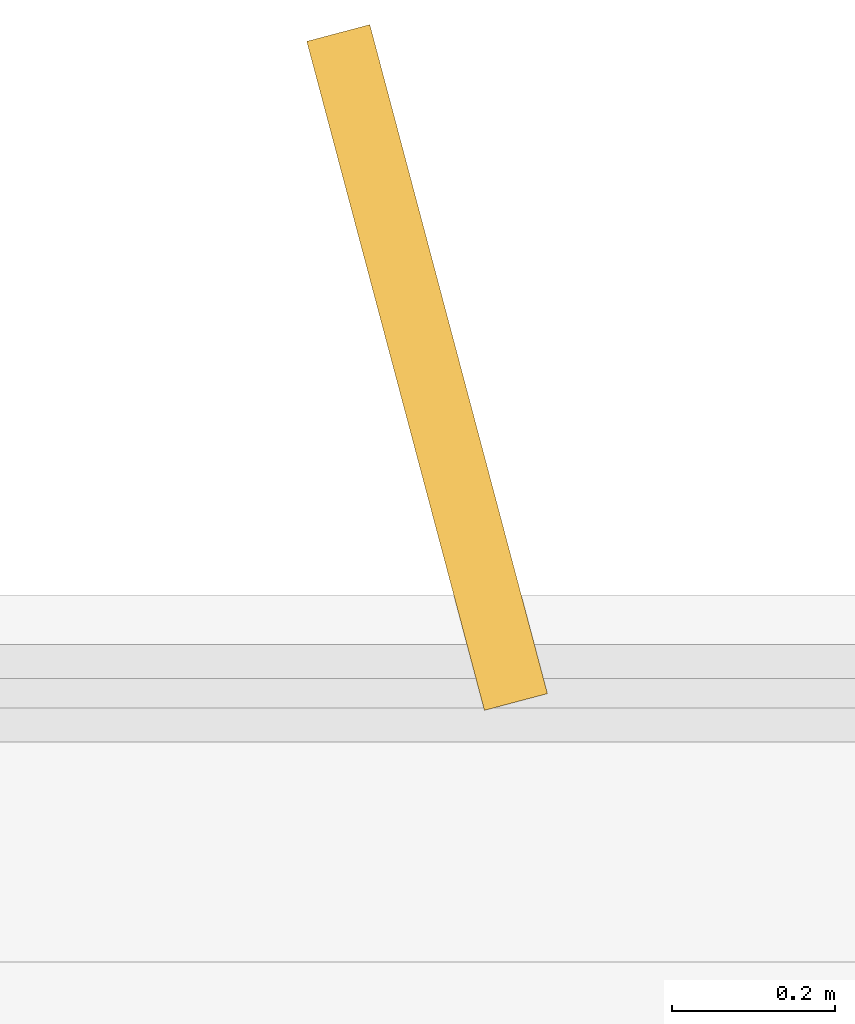
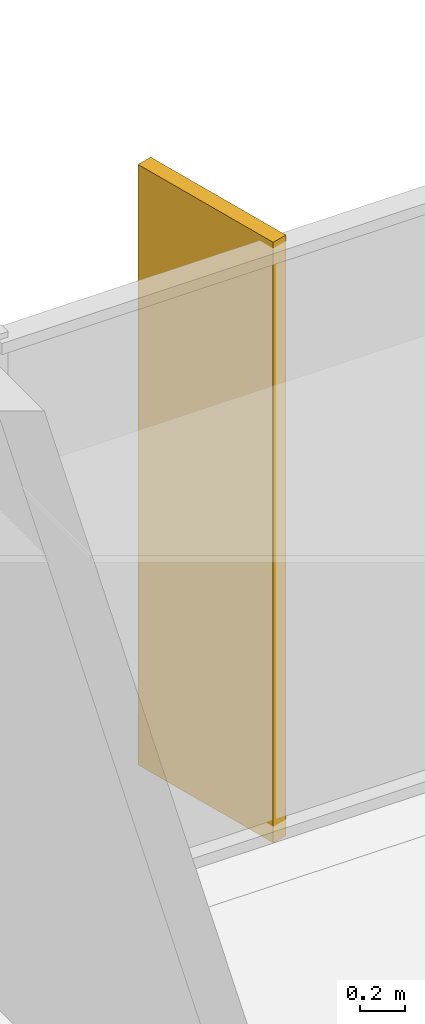
# One storey, part 17 of 17: 1 shading device.
"""IFC4 building model written with IfcOpenShell, lengths in metres."""

from ifc_helpers import new_model, si_unit, direction, frame, origin, origin_2d, place, context, subcontext, project, spatial, rectangle, extrude, material, type_object, element, save


model = new_model("IFC4")

# Units and contexts
model_context = context("Model", 3, precision=1e-05, world=origin(), true_north=direction((0.0, 1.0)))
body_context = subcontext(model_context, "Body", "Model", "MODEL_VIEW")
ifc_project = project(units=[si_unit("LENGTHUNIT", "METRE"), si_unit("AREAUNIT", "SQUARE_METRE"), si_unit("VOLUMEUNIT", "CUBIC_METRE"), si_unit("PLANEANGLEUNIT", "RADIAN"), si_unit("MASSUNIT", "GRAM", prefix="KILO")], contexts=[model_context])

# Site, building, storey
site_placement = place(None, origin())
site = spatial("IfcSite", under=ifc_project, at=site_placement, CompositionType="ELEMENT")
building_placement = place(site_placement, origin())
building = spatial("IfcBuilding", under=site, at=building_placement, Name="Trevonay Congress Spire", CompositionType="ELEMENT")
storey_placement = place(building_placement, frame((0.0, 0.0, 69.0)))
storey = spatial("IfcBuildingStorey", under=building, at=storey_placement, Name="L17", CompositionType="ELEMENT", Elevation=69.0)

# Shading device
ifc_material = material(Name="Pale Anodised Aluminium EN AW-6063-T6", Category="aluminium")
shading_device_type = type_object("IfcShadingDeviceType", Name="SHD-FIN-Z1-PALE-METAL", PredefinedType="USERDEFINED", material=ifc_material)
shading_device_placement = place(storey_placement, frame((15.050048828125, 24.280029296875, 0.0), z_axis=(0.0, 0.0, 1.0), x_axis=(0.966510581262, 0.256626764599, 0.0)))
element("IfcShadingDevice", 1, at=shading_device_placement, inside=storey, type_object=shading_device_type, Name="L17 N vertical pale-metal solar fin 16", ObjectType="SOLAR FIN", PredefinedType="USERDEFINED", context=body_context, shape_type="SweptSolid", body=[
    extrude(rectangle(XDim=0.080078125, YDim=0.85009765625, at=origin_2d()), origin(), (0.0, 0.0, 1.0), 3.25),
])

save(model, "model.ifc")
